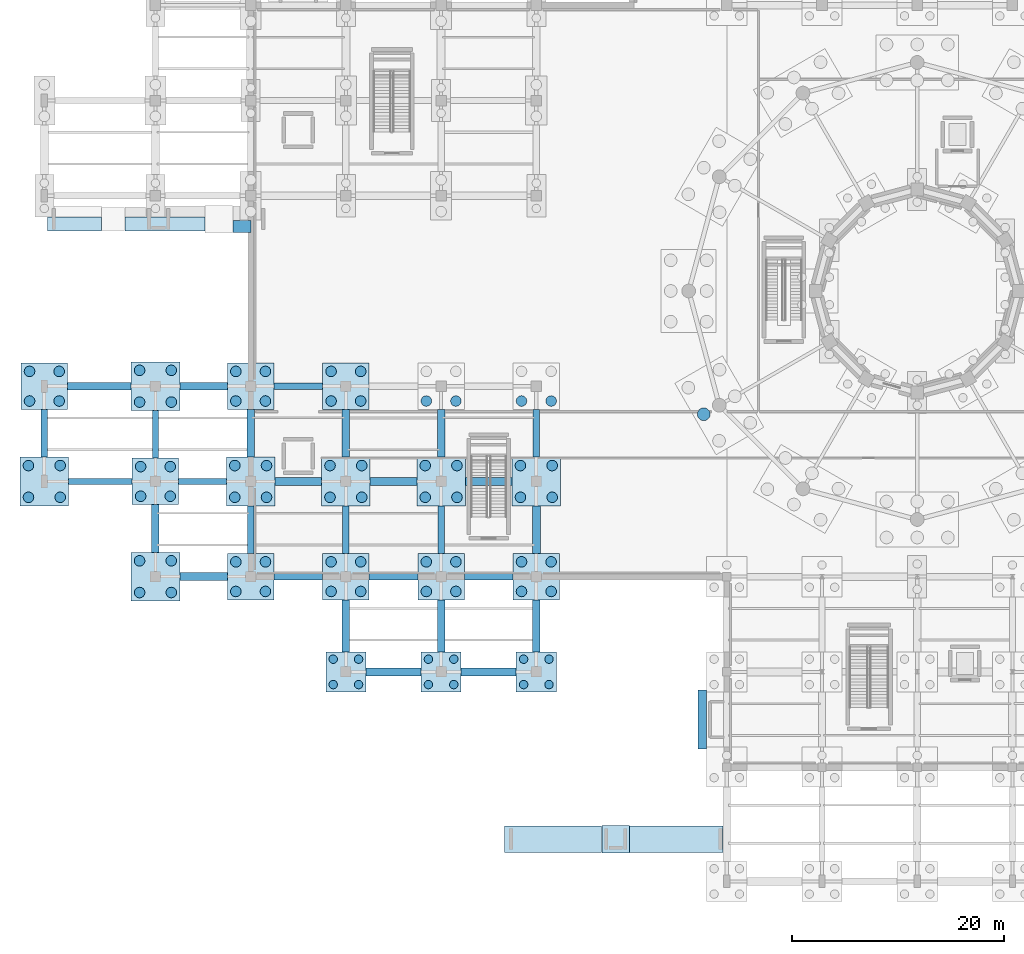
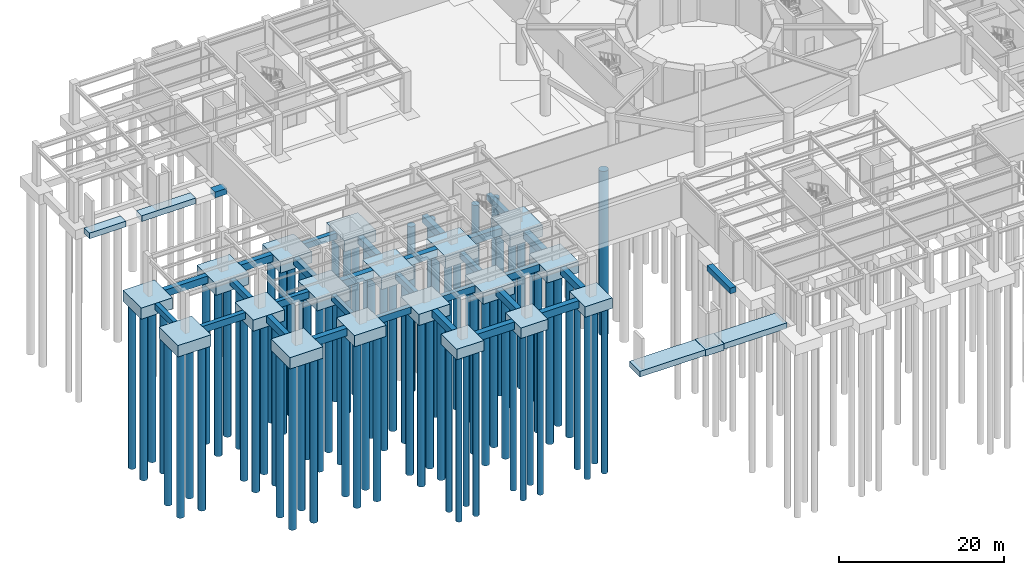
# One storey, part 1 of 36: 77 piles, 53 footings.
"""IFC4 building model written with IfcOpenShell, lengths in metres."""

from ifc_helpers import new_model, si_unit, direction, frame, origin, origin_2d, place, context, subcontext, project, spatial, rectangle, circle, extrude, material, material_profile, profile_set, type_object, element, save


model = new_model("IFC4")

# Units and contexts
model_context = context("Model", 3, precision=1e-05, world=origin(), true_north=direction((0.0, 1.0)))
body_context = subcontext(model_context, "Body", "Model", "MODEL_VIEW")
ifc_project = project(units=[si_unit("LENGTHUNIT", "METRE"), si_unit("AREAUNIT", "SQUARE_METRE"), si_unit("VOLUMEUNIT", "CUBIC_METRE"), si_unit("PLANEANGLEUNIT", "RADIAN"), si_unit("MASSUNIT", "GRAM", prefix="KILO")], contexts=[model_context])

# Site, building, storey
site_placement = place(None, origin())
site = spatial("IfcSite", under=ifc_project, at=site_placement, CompositionType="ELEMENT")
building_placement = place(site_placement, origin())
building = spatial("IfcBuilding", under=site, at=building_placement, Name="Haizhuo Lancet Aquarium", CompositionType="ELEMENT")
storey_placement = place(building_placement, frame((0.0, 0.0, -6.0)))
storey = spatial("IfcBuildingStorey", under=building, at=storey_placement, Name="B1", CompositionType="ELEMENT", Elevation=-6.0)

# Footings
ifc_material = material(Name="Concrete C40/50", Category="concrete")
footing_type_1 = type_object("IfcFootingType", Name="FCAP-PC4A", PredefinedType="PILE_CAP", material=ifc_material)
for number, where, z_axis, x_axis, name in (
    (1, (-54.0, -36.0, -1.5498046875), (0.0, 0.0, 1.0), (1.0, 0.0, 0.0), "Pile cap PC-04 116"),
    (2, (-45.0, -36.0, -1.5498046875), (0.0, 0.0, 1.0), (1.0, 0.0, 0.0), "Pile cap PC-04 120"),
    (3, (-36.0, -36.0, -1.5498046875), (0.0, 0.0, 1.0), (1.0, 0.0, 0.0), "Pile cap PC-04 124"),
):
    element("IfcFooting", number, at=place(storey_placement, frame(where, z_axis=z_axis, x_axis=x_axis)), inside=storey, type_object=footing_type_1, Name=name, PredefinedType="PILE_CAP", context=body_context, shape_type="SweptSolid", body=[
        extrude(rectangle(XDim=3.800048828125, YDim=3.800048828125, at=origin_2d()), origin(), (0.0, 0.0, 1.0), 1.550048828125),
    ])
footing_type_2 = type_object("IfcFootingType", Name="FCAP-PC4B", PredefinedType="PILE_CAP", material=ifc_material)
for number, where, z_axis, x_axis, name in (
    (4, (-82.5, -9.0, -1.64990234375), (0.0, 0.0, 1.0), (1.0, 0.0, 0.0), "Pile cap PC-05 109"),
    (5, (-72.0, -18.0, -1.64990234375), (0.0, 0.0, 1.0), (1.0, 0.0, 0.0), "Pile cap PC-05 111"),
    (6, (-63.0, -27.0, -1.64990234375), (0.0, 0.0, 1.0), (1.0, 0.0, 0.0), "Pile cap PC-05 113"),
    (7, (-63.0, -9.0, -1.64990234375), (0.0, 0.0, 1.0), (1.0, 0.0, 0.0), "Pile cap PC-05 115"),
    (8, (-54.0, -27.0, -1.64990234375), (0.0, 0.0, 1.0), (1.0, 0.0, 0.0), "Pile cap PC-05 117"),
    (9, (-54.0, -9.0, -1.64990234375), (0.0, 0.0, 1.0), (1.0, 0.0, 0.0), "Pile cap PC-05 119"),
    (10, (-45.0, -27.0, -1.64990234375), (0.0, 0.0, 1.0), (1.0, 0.0, 0.0), "Pile cap PC-05 121"),
    (11, (-36.0, -27.0, -1.64990234375), (0.0, 0.0, 1.0), (1.0, 0.0, 0.0), "Pile cap PC-05 125"),
):
    element("IfcFooting", number, at=place(storey_placement, frame(where, z_axis=z_axis, x_axis=x_axis)), inside=storey, type_object=footing_type_2, Name=name, PredefinedType="PILE_CAP", context=body_context, shape_type="SweptSolid", body=[
        extrude(rectangle(XDim=4.39990234375, YDim=4.39990234375, at=origin_2d()), origin(), (0.0, 0.0, 1.0), 1.64990234375),
    ])
footing_type_3 = type_object("IfcFootingType", Name="FCAP-PC4C", PredefinedType="PILE_CAP", material=ifc_material)
for number, where, z_axis, x_axis, name in (
    (12, (-82.5, -18.0, -1.7001953125), (0.0, 0.0, 1.0), (1.0, 0.0, 0.0), "Pile cap PC-06 108"),
    (13, (-72.0, -27.0, -1.7001953125), (0.0, 0.0, 1.0), (1.0, 0.0, 0.0), "Pile cap PC-06 110"),
    (14, (-72.0, -9.0, -1.7001953125), (0.0, 0.0, 1.0), (1.0, 0.0, 0.0), "Pile cap PC-06 112"),
    (15, (-63.0, -18.0, -1.7001953125), (0.0, 0.0, 1.0), (1.0, 0.0, 0.0), "Pile cap PC-06 114"),
    (16, (-54.0, -18.0, -1.7001953125), (0.0, 0.0, 1.0), (1.0, 0.0, 0.0), "Pile cap PC-06 118"),
    (17, (-45.0, -18.0, -1.7001953125), (0.0, 0.0, 1.0), (1.0, 0.0, 0.0), "Pile cap PC-06 122"),
    (18, (-36.0, -18.0, -1.7001953125), (0.0, 0.0, 1.0), (1.0, 0.0, 0.0), "Pile cap PC-06 126"),
):
    element("IfcFooting", number, at=place(storey_placement, frame(where, z_axis=z_axis, x_axis=x_axis)), inside=storey, type_object=footing_type_3, Name=name, PredefinedType="PILE_CAP", context=body_context, shape_type="SweptSolid", body=[
        extrude(rectangle(XDim=4.60009765625, YDim=4.60009765625, at=origin_2d()), origin(), (0.0, 0.0, 1.0), 1.699951171875),
    ])
footing_type_4 = type_object("IfcFootingType", Name="FPAD-2200", PredefinedType="PAD_FOOTING", material=ifc_material)
footing_1_placement = place(storey_placement, frame((-79.659912109375, 6.330078125, -0.85009765625), z_axis=(0.0, 0.0, 1.0), x_axis=(1.0, 0.0, 0.0)))
element("IfcFooting", 19, at=footing_1_placement, inside=storey, type_object=footing_type_4, material=ifc_material, Name="West Avenue Accessible Plinth Ramp RMP-01 mat footing 1", PredefinedType="PAD_FOOTING", context=body_context, shape_type="SweptSolid", body=[
    extrude(rectangle(XDim=5.080078125, YDim=1.300048828125, at=origin_2d()), origin(), (0.0, 0.0, 1.0), 0.85009765625),
])
footing_2_placement = place(storey_placement, frame((-71.10009765625, 6.330078125, -0.85009765625), z_axis=(0.0, 0.0, 1.0), x_axis=(1.0, 0.0, 0.0)))
element("IfcFooting", 20, at=footing_2_placement, inside=storey, type_object=footing_type_4, material=ifc_material, Name="West Avenue Accessible Plinth Ramp RMP-01 mat footing 3", PredefinedType="PAD_FOOTING", context=body_context, shape_type="SweptSolid", body=[
    extrude(rectangle(XDim=7.56005859375, YDim=1.300048828125, at=origin_2d()), origin(), (0.0, 0.0, 1.0), 0.85009765625),
])
footing_3_placement = place(storey_placement, frame((-63.830078125, 6.114990234375, -0.85009765625), z_axis=(0.0, 0.0, 1.0), x_axis=(1.0, 0.0, 0.0)))
element("IfcFooting", 21, at=footing_3_placement, inside=storey, type_object=footing_type_4, material=ifc_material, Name="West Avenue Accessible Plinth Ramp RMP-01 mat footing 6", PredefinedType="PAD_FOOTING", context=body_context, shape_type="SweptSolid", body=[
    extrude(rectangle(XDim=1.699951171875, YDim=1.1298828125, at=origin_2d()), origin(), (0.0, 0.0, 1.0), 0.85009765625),
])
footing_4_placement = place(storey_placement, frame((-34.409912109375, -51.800048828125, -0.85009765625), z_axis=(0.0, 0.0, 1.0), x_axis=(1.0, 0.0, 0.0)))
element("IfcFooting", 22, at=footing_4_placement, inside=storey, type_object=footing_type_4, material=ifc_material, Name="South Forecourt Accessible Plinth Ramp RMP-03 mat footing 1", PredefinedType="PAD_FOOTING", context=body_context, shape_type="SweptSolid", body=[
    extrude(rectangle(XDim=9.179931640625, YDim=2.5, at=origin_2d()), origin(), (0.0, 0.0, 1.0), 0.85009765625),
])
footing_5_placement = place(storey_placement, frame((-22.77490234375, -51.800048828125, -0.85009765625), z_axis=(0.0, 0.0, 1.0), x_axis=(1.0, 0.0, 0.0)))
element("IfcFooting", 23, at=footing_5_placement, inside=storey, type_object=footing_type_4, material=ifc_material, Name="South Forecourt Accessible Plinth Ramp RMP-03 mat footing 2", PredefinedType="PAD_FOOTING", context=body_context, shape_type="SweptSolid", body=[
    extrude(rectangle(XDim=8.81005859375, YDim=2.5, at=origin_2d()), origin(), (0.0, 0.0, 1.0), 0.85009765625),
])
footing_6_placement = place(storey_placement, frame((-20.31005859375, -40.5, -0.85009765625), z_axis=(0.0, 0.0, 1.0), x_axis=(1.0, 0.0, 0.0)))
element("IfcFooting", 24, at=footing_6_placement, inside=storey, type_object=footing_type_4, material=ifc_material, Name="Entrance apron footing 3.1", PredefinedType="PAD_FOOTING", context=body_context, shape_type="SweptSolid", body=[
    extrude(rectangle(XDim=0.780029296875, YDim=5.60009765625, at=origin_2d()), origin(), (0.0, 0.0, 1.0), 0.85009765625),
])
footing_type_5 = type_object("IfcFootingType", Name="FPAD-2600", PredefinedType="PAD_FOOTING", material=ifc_material)
footing_7_placement = place(storey_placement, frame((-28.5, -51.800048828125, -0.9501953125), z_axis=(0.0, 0.0, 1.0), x_axis=(1.0, 0.0, 0.0)))
element("IfcFooting", 25, at=footing_7_placement, inside=storey, type_object=footing_type_5, Name="Ramp pad footing 5", PredefinedType="PAD_FOOTING", context=body_context, shape_type="SweptSolid", body=[
    extrude(rectangle(XDim=2.60009765625, YDim=2.60009765625, at=origin_2d()), origin(), (0.0, 0.0, 1.0), 0.949951171875),
])
footing_type_6 = type_object("IfcFootingType", Name="FTB-600x1000", PredefinedType="FOOTING_BEAM", material=ifc_material)
footing_8_placement = place(storey_placement, frame((-77.199951171875, -18.0, -1.0), z_axis=(0.0, 0.0, 1.0), x_axis=(1.0, 0.0, 0.0)))
element("IfcFooting", 26, at=footing_8_placement, inside=storey, type_object=footing_type_6, Name="Foundation tie beam 2", PredefinedType="FOOTING_BEAM", context=body_context, shape_type="SweptSolid", body=[
    extrude(rectangle(XDim=6.0, YDim=0.60009765625, at=origin_2d()), origin(), (0.0, 0.0, 1.0), 1.0),
])
footing_9_placement = place(storey_placement, frame((-67.550048828125, -18.0, -1.0), z_axis=(0.0, 0.0, 1.0), x_axis=(1.0, 0.0, 0.0)))
element("IfcFooting", 27, at=footing_9_placement, inside=storey, type_object=footing_type_6, Name="Foundation tie beam 10", PredefinedType="FOOTING_BEAM", context=body_context, shape_type="SweptSolid", body=[
    extrude(rectangle(XDim=4.5, YDim=0.60009765625, at=origin_2d()), origin(), (0.0, 0.0, 1.0), 1.0),
])
for number, where, z_axis, x_axis, name in (
    (28, (-58.5, -27.0, -1.0), (0.0, 0.0, 1.0), (1.0, 0.0, 0.0), "Foundation tie beam 18"),
    (29, (-49.5, -27.0, -1.0), (0.0, 0.0, 1.0), (1.0, 0.0, 0.0), "Foundation tie beam 30"),
    (30, (-40.5, -27.0, -1.0), (0.0, 0.0, 1.0), (1.0, 0.0, 0.0), "Foundation tie beam 42"),
):
    element("IfcFooting", number, at=place(storey_placement, frame(where, z_axis=z_axis, x_axis=x_axis)), inside=storey, type_object=footing_type_6, Name=name, PredefinedType="FOOTING_BEAM", context=body_context, shape_type="SweptSolid", body=[
        extrude(rectangle(XDim=4.60009765625, YDim=0.60009765625, at=origin_2d()), origin(), (0.0, 0.0, 1.0), 1.0),
    ])
footing_type_7 = type_object("IfcFootingType", Name="FTB-600x900", PredefinedType="FOOTING_BEAM", material=ifc_material)
for number, where, z_axis, x_axis, name in (
    (31, (-82.5, -13.449951171875, -0.89990234375), (0.0, 0.0, 1.0), (0.0, 1.0, 0.0), "Foundation tie beam 1"),
    (32, (-72.0, -13.550048828125, -0.89990234375), (0.0, 0.0, 1.0), (0.0, 1.0, 0.0), "Foundation tie beam 9"),
    (33, (-63.0, -22.550048828125, -0.89990234375), (0.0, 0.0, 1.0), (0.0, 1.0, 0.0), "Foundation tie beam 17"),
):
    element("IfcFooting", number, at=place(storey_placement, frame(where, z_axis=z_axis, x_axis=x_axis)), inside=storey, type_object=footing_type_7, Name=name, PredefinedType="FOOTING_BEAM", context=body_context, shape_type="SweptSolid", body=[
        extrude(rectangle(XDim=4.5, YDim=0.60009765625, at=origin_2d()), origin(), (0.0, 0.0, 1.0), 0.89990234375),
    ])
footing_10_placement = place(storey_placement, frame((-58.5, -9.0, -0.89990234375), z_axis=(0.0, 0.0, 1.0), x_axis=(1.0, 0.0, 0.0)))
element("IfcFooting", 34, at=footing_10_placement, inside=storey, type_object=footing_type_7, Name="Foundation tie beam 21", PredefinedType="FOOTING_BEAM", context=body_context, shape_type="SweptSolid", body=[
    extrude(rectangle(XDim=4.60009765625, YDim=0.60009765625, at=origin_2d()), origin(), (0.0, 0.0, 1.0), 0.89990234375),
])
for number, where, z_axis, x_axis, name in (
    (35, (-54.0, -22.550048828125, -0.89990234375), (0.0, 0.0, 1.0), (0.0, 1.0, 0.0), "Foundation tie beam 29"),
    (36, (-45.0, -22.550048828125, -0.89990234375), (0.0, 0.0, 1.0), (0.0, 1.0, 0.0), "Foundation tie beam 41"),
    (37, (-36.0, -13.449951171875, -0.89990234375), (0.0, 0.0, 1.0), (0.0, 1.0, 0.0), "Foundation tie beam 53"),
):
    element("IfcFooting", number, at=place(storey_placement, frame(where, z_axis=z_axis, x_axis=x_axis)), inside=storey, type_object=footing_type_7, Name=name, PredefinedType="FOOTING_BEAM", context=body_context, shape_type="SweptSolid", body=[
        extrude(rectangle(XDim=4.5, YDim=0.60009765625, at=origin_2d()), origin(), (0.0, 0.0, 1.0), 0.89990234375),
    ])
footing_type_8 = type_object("IfcFootingType", Name="FTB-700x1050", PredefinedType="FOOTING_BEAM", material=ifc_material)
footing_11_placement = place(storey_placement, frame((-77.300048828125, -9.0, -1.0498046875), z_axis=(0.0, 0.0, 1.0), x_axis=(1.0, 0.0, 0.0)))
element("IfcFooting", 38, at=footing_11_placement, inside=storey, type_object=footing_type_8, Name="Foundation tie beam 3", PredefinedType="FOOTING_BEAM", context=body_context, shape_type="SweptSolid", body=[
    extrude(rectangle(XDim=6.0, YDim=0.699951171875, at=origin_2d()), origin(), (0.0, 0.0, 1.0), 1.050048828125),
])
for number, where, z_axis, x_axis, name in (
    (39, (-72.0, -22.449951171875, -1.0498046875), (0.0, 0.0, 1.0), (0.0, 1.0, 0.0), "Foundation tie beam 7"),
    (40, (-67.449951171875, -9.0, -1.0498046875), (0.0, 0.0, 1.0), (1.0, 0.0, 0.0), "Foundation tie beam 11"),
    (41, (-63.0, -13.449951171875, -1.0498046875), (0.0, 0.0, 1.0), (0.0, 1.0, 0.0), "Foundation tie beam 19"),
):
    element("IfcFooting", number, at=place(storey_placement, frame(where, z_axis=z_axis, x_axis=x_axis)), inside=storey, type_object=footing_type_8, Name=name, PredefinedType="FOOTING_BEAM", context=body_context, shape_type="SweptSolid", body=[
        extrude(rectangle(XDim=4.5, YDim=0.699951171875, at=origin_2d()), origin(), (0.0, 0.0, 1.0), 1.050048828125),
    ])
footing_12_placement = place(storey_placement, frame((-54.0, -31.64990234375, -1.0498046875), z_axis=(0.0, 0.0, 1.0), x_axis=(0.0, 1.0, 0.0)))
element("IfcFooting", 42, at=footing_12_placement, inside=storey, type_object=footing_type_8, Name="Foundation tie beam 27", PredefinedType="FOOTING_BEAM", context=body_context, shape_type="SweptSolid", body=[
    extrude(rectangle(XDim=4.89990234375, YDim=0.699951171875, at=origin_2d()), origin(), (0.0, 0.0, 1.0), 1.050048828125),
])
footing_13_placement = place(storey_placement, frame((-54.0, -13.449951171875, -1.0498046875), z_axis=(0.0, 0.0, 1.0), x_axis=(0.0, 1.0, 0.0)))
element("IfcFooting", 43, at=footing_13_placement, inside=storey, type_object=footing_type_8, Name="Foundation tie beam 31", PredefinedType="FOOTING_BEAM", context=body_context, shape_type="SweptSolid", body=[
    extrude(rectangle(XDim=4.5, YDim=0.699951171875, at=origin_2d()), origin(), (0.0, 0.0, 1.0), 1.050048828125),
])
footing_14_placement = place(storey_placement, frame((-45.0, -31.64990234375, -1.0498046875), z_axis=(0.0, 0.0, 1.0), x_axis=(0.0, 1.0, 0.0)))
element("IfcFooting", 44, at=footing_14_placement, inside=storey, type_object=footing_type_8, Name="Foundation tie beam 39", PredefinedType="FOOTING_BEAM", context=body_context, shape_type="SweptSolid", body=[
    extrude(rectangle(XDim=4.89990234375, YDim=0.699951171875, at=origin_2d()), origin(), (0.0, 0.0, 1.0), 1.050048828125),
])
footing_15_placement = place(storey_placement, frame((-45.0, -13.449951171875, -1.0498046875), z_axis=(0.0, 0.0, 1.0), x_axis=(0.0, 1.0, 0.0)))
element("IfcFooting", 45, at=footing_15_placement, inside=storey, type_object=footing_type_8, Name="Foundation tie beam 43", PredefinedType="FOOTING_BEAM", context=body_context, shape_type="SweptSolid", body=[
    extrude(rectangle(XDim=4.5, YDim=0.699951171875, at=origin_2d()), origin(), (0.0, 0.0, 1.0), 1.050048828125),
])
footing_16_placement = place(storey_placement, frame((-36.0, -31.64990234375, -1.0498046875), z_axis=(0.0, 0.0, 1.0), x_axis=(0.0, 1.0, 0.0)))
element("IfcFooting", 46, at=footing_16_placement, inside=storey, type_object=footing_type_8, Name="Foundation tie beam 51", PredefinedType="FOOTING_BEAM", context=body_context, shape_type="SweptSolid", body=[
    extrude(rectangle(XDim=4.89990234375, YDim=0.699951171875, at=origin_2d()), origin(), (0.0, 0.0, 1.0), 1.050048828125),
])
footing_type_9 = type_object("IfcFootingType", Name="FTB-750x1100", PredefinedType="FOOTING_BEAM", material=ifc_material)
footing_17_placement = place(storey_placement, frame((-67.449951171875, -27.0, -1.10009765625), z_axis=(0.0, 0.0, 1.0), x_axis=(1.0, 0.0, 0.0)))
element("IfcFooting", 47, at=footing_17_placement, inside=storey, type_object=footing_type_9, Name="Foundation tie beam 8", PredefinedType="FOOTING_BEAM", context=body_context, shape_type="SweptSolid", body=[
    extrude(rectangle(XDim=4.5, YDim=0.75, at=origin_2d()), origin(), (0.0, 0.0, 1.0), 1.10009765625),
])
footing_18_placement = place(storey_placement, frame((-58.5, -18.0, -1.10009765625), z_axis=(0.0, 0.0, 1.0), x_axis=(1.0, 0.0, 0.0)))
element("IfcFooting", 48, at=footing_18_placement, inside=storey, type_object=footing_type_9, Name="Foundation tie beam 20", PredefinedType="FOOTING_BEAM", context=body_context, shape_type="SweptSolid", body=[
    extrude(rectangle(XDim=4.39990234375, YDim=0.75, at=origin_2d()), origin(), (0.0, 0.0, 1.0), 1.10009765625),
])
footing_19_placement = place(storey_placement, frame((-49.5, -36.0, -1.10009765625), z_axis=(0.0, 0.0, 1.0), x_axis=(1.0, 0.0, 0.0)))
element("IfcFooting", 49, at=footing_19_placement, inside=storey, type_object=footing_type_9, Name="Foundation tie beam 28", PredefinedType="FOOTING_BEAM", context=body_context, shape_type="SweptSolid", body=[
    extrude(rectangle(XDim=5.199951171875, YDim=0.75, at=origin_2d()), origin(), (0.0, 0.0, 1.0), 1.10009765625),
])
footing_20_placement = place(storey_placement, frame((-49.5, -18.0, -1.10009765625), z_axis=(0.0, 0.0, 1.0), x_axis=(1.0, 0.0, 0.0)))
element("IfcFooting", 50, at=footing_20_placement, inside=storey, type_object=footing_type_9, Name="Foundation tie beam 32", PredefinedType="FOOTING_BEAM", context=body_context, shape_type="SweptSolid", body=[
    extrude(rectangle(XDim=4.39990234375, YDim=0.75, at=origin_2d()), origin(), (0.0, 0.0, 1.0), 1.10009765625),
])
footing_21_placement = place(storey_placement, frame((-40.5, -36.0, -1.10009765625), z_axis=(0.0, 0.0, 1.0), x_axis=(1.0, 0.0, 0.0)))
element("IfcFooting", 51, at=footing_21_placement, inside=storey, type_object=footing_type_9, Name="Foundation tie beam 40", PredefinedType="FOOTING_BEAM", context=body_context, shape_type="SweptSolid", body=[
    extrude(rectangle(XDim=5.199951171875, YDim=0.75, at=origin_2d()), origin(), (0.0, 0.0, 1.0), 1.10009765625),
])
footing_22_placement = place(storey_placement, frame((-40.5, -18.0, -1.10009765625), z_axis=(0.0, 0.0, 1.0), x_axis=(1.0, 0.0, 0.0)))
element("IfcFooting", 52, at=footing_22_placement, inside=storey, type_object=footing_type_9, Name="Foundation tie beam 44", PredefinedType="FOOTING_BEAM", context=body_context, shape_type="SweptSolid", body=[
    extrude(rectangle(XDim=4.39990234375, YDim=0.75, at=origin_2d()), origin(), (0.0, 0.0, 1.0), 1.10009765625),
])
footing_23_placement = place(storey_placement, frame((-36.0, -22.550048828125, -1.10009765625), z_axis=(0.0, 0.0, 1.0), x_axis=(0.0, 1.0, 0.0)))
element("IfcFooting", 53, at=footing_23_placement, inside=storey, type_object=footing_type_9, Name="Foundation tie beam 52", PredefinedType="FOOTING_BEAM", context=body_context, shape_type="SweptSolid", body=[
    extrude(rectangle(XDim=4.5, YDim=0.75, at=origin_2d()), origin(), (0.0, 0.0, 1.0), 1.10009765625),
])

# Piles
ifc_material_profile_1 = material_profile(ifc_material, circle(Radius=0.5, at=origin_2d()), Name="PILE-1000")
ifc_profile_set_1 = profile_set([ifc_material_profile_1], Name="Concrete C40/50")
pile_type_1 = type_object("IfcPileType", Name="PILE-BORED-1000", PredefinedType="BORED", material=ifc_profile_set_1)
for number, where, z_axis, x_axis, name in (
    (54, (-84.0, -19.5, -1.550048828125), (0.0, 0.0, -1.0), (1.0, 0.0, 0.0), "Bored pile P-02 108.1"),
    (55, (-81.0, -19.5, -1.550048828125), (0.0, 0.0, -1.0), (1.0, 0.0, 0.0), "Bored pile P-02 108.2"),
    (56, (-84.0, -16.5, -1.550048828125), (0.0, 0.0, -1.0), (1.0, 0.0, 0.0), "Bored pile P-02 108.3"),
    (57, (-81.0, -16.5, -1.550048828125), (0.0, 0.0, -1.0), (1.0, 0.0, 0.0), "Bored pile P-02 108.4"),
):
    element("IfcPile", number, at=place(storey_placement, frame(where, z_axis=z_axis, x_axis=x_axis)), inside=storey, type_object=pile_type_1, Name=name, PredefinedType="BORED", context=body_context, shape_type="SweptSolid", body=[
        extrude(circle(Radius=0.5, at=origin_2d()), origin(), (0.0, 0.0, 1.0), 24.449951171875),
    ])
for number, where, z_axis, x_axis, name in (
    (58, (-83.89990234375, -10.39990234375, -1.5), (0.0, 0.0, -1.0), (1.0, 0.0, 0.0), "Bored pile P-02 109.1"),
    (59, (-81.10009765625, -10.39990234375, -1.5), (0.0, 0.0, -1.0), (1.0, 0.0, 0.0), "Bored pile P-02 109.2"),
    (60, (-83.89990234375, -7.60009765625, -1.5), (0.0, 0.0, -1.0), (1.0, 0.0, 0.0), "Bored pile P-02 109.3"),
    (61, (-81.10009765625, -7.60009765625, -1.5), (0.0, 0.0, -1.0), (1.0, 0.0, 0.0), "Bored pile P-02 109.4"),
):
    element("IfcPile", number, at=place(storey_placement, frame(where, z_axis=z_axis, x_axis=x_axis)), inside=storey, type_object=pile_type_1, Name=name, PredefinedType="BORED", context=body_context, shape_type="SweptSolid", body=[
        extrude(circle(Radius=0.5, at=origin_2d()), origin(), (0.0, 0.0, 1.0), 24.5),
    ])
for number, where, z_axis, x_axis, name in (
    (62, (-73.5, -28.5, -1.550048828125), (0.0, 0.0, -1.0), (1.0, 0.0, 0.0), "Bored pile P-02 110.1"),
    (63, (-70.5, -28.5, -1.550048828125), (0.0, 0.0, -1.0), (1.0, 0.0, 0.0), "Bored pile P-02 110.2"),
    (64, (-73.5, -25.5, -1.550048828125), (0.0, 0.0, -1.0), (1.0, 0.0, 0.0), "Bored pile P-02 110.3"),
    (65, (-70.5, -25.5, -1.550048828125), (0.0, 0.0, -1.0), (1.0, 0.0, 0.0), "Bored pile P-02 110.4"),
):
    element("IfcPile", number, at=place(storey_placement, frame(where, z_axis=z_axis, x_axis=x_axis)), inside=storey, type_object=pile_type_1, Name=name, PredefinedType="BORED", context=body_context, shape_type="SweptSolid", body=[
        extrude(circle(Radius=0.5, at=origin_2d()), origin(), (0.0, 0.0, 1.0), 24.449951171875),
    ])
for number, where, z_axis, x_axis, name in (
    (66, (-73.39990234375, -19.39990234375, -1.5), (0.0, 0.0, -1.0), (1.0, 0.0, 0.0), "Bored pile P-02 111.1"),
    (67, (-70.60009765625, -19.39990234375, -1.5), (0.0, 0.0, -1.0), (1.0, 0.0, 0.0), "Bored pile P-02 111.2"),
    (68, (-73.39990234375, -16.60009765625, -1.5), (0.0, 0.0, -1.0), (1.0, 0.0, 0.0), "Bored pile P-02 111.3"),
    (69, (-70.60009765625, -16.60009765625, -1.5), (0.0, 0.0, -1.0), (1.0, 0.0, 0.0), "Bored pile P-02 111.4"),
):
    element("IfcPile", number, at=place(storey_placement, frame(where, z_axis=z_axis, x_axis=x_axis)), inside=storey, type_object=pile_type_1, Name=name, PredefinedType="BORED", context=body_context, shape_type="SweptSolid", body=[
        extrude(circle(Radius=0.5, at=origin_2d()), origin(), (0.0, 0.0, 1.0), 24.5),
    ])
for number, where, z_axis, x_axis, name in (
    (70, (-73.5, -10.5, -1.550048828125), (0.0, 0.0, -1.0), (1.0, 0.0, 0.0), "Bored pile P-02 112.1"),
    (71, (-70.5, -10.5, -1.550048828125), (0.0, 0.0, -1.0), (1.0, 0.0, 0.0), "Bored pile P-02 112.2"),
    (72, (-73.5, -7.5, -1.550048828125), (0.0, 0.0, -1.0), (1.0, 0.0, 0.0), "Bored pile P-02 112.3"),
    (73, (-70.5, -7.5, -1.550048828125), (0.0, 0.0, -1.0), (1.0, 0.0, 0.0), "Bored pile P-02 112.4"),
):
    element("IfcPile", number, at=place(storey_placement, frame(where, z_axis=z_axis, x_axis=x_axis)), inside=storey, type_object=pile_type_1, Name=name, PredefinedType="BORED", context=body_context, shape_type="SweptSolid", body=[
        extrude(circle(Radius=0.5, at=origin_2d()), origin(), (0.0, 0.0, 1.0), 24.449951171875),
    ])
for number, where, z_axis, x_axis, name in (
    (74, (-64.39990234375, -28.39990234375, -1.5), (0.0, 0.0, -1.0), (1.0, 0.0, 0.0), "Bored pile P-02 113.1"),
    (75, (-61.60009765625, -28.39990234375, -1.5), (0.0, 0.0, -1.0), (1.0, 0.0, 0.0), "Bored pile P-02 113.2"),
    (76, (-64.39990234375, -25.60009765625, -1.5), (0.0, 0.0, -1.0), (1.0, 0.0, 0.0), "Bored pile P-02 113.3"),
    (77, (-61.60009765625, -25.60009765625, -1.5), (0.0, 0.0, -1.0), (1.0, 0.0, 0.0), "Bored pile P-02 113.4"),
):
    element("IfcPile", number, at=place(storey_placement, frame(where, z_axis=z_axis, x_axis=x_axis)), inside=storey, type_object=pile_type_1, Name=name, PredefinedType="BORED", context=body_context, shape_type="SweptSolid", body=[
        extrude(circle(Radius=0.5, at=origin_2d()), origin(), (0.0, 0.0, 1.0), 24.5),
    ])
for number, where, z_axis, x_axis, name in (
    (78, (-64.5, -19.5, -1.550048828125), (0.0, 0.0, -1.0), (1.0, 0.0, 0.0), "Bored pile P-02 114.1"),
    (79, (-61.5, -19.5, -1.550048828125), (0.0, 0.0, -1.0), (1.0, 0.0, 0.0), "Bored pile P-02 114.2"),
    (80, (-64.5, -16.5, -1.550048828125), (0.0, 0.0, -1.0), (1.0, 0.0, 0.0), "Bored pile P-02 114.3"),
    (81, (-61.5, -16.5, -1.550048828125), (0.0, 0.0, -1.0), (1.0, 0.0, 0.0), "Bored pile P-02 114.4"),
):
    element("IfcPile", number, at=place(storey_placement, frame(where, z_axis=z_axis, x_axis=x_axis)), inside=storey, type_object=pile_type_1, Name=name, PredefinedType="BORED", context=body_context, shape_type="SweptSolid", body=[
        extrude(circle(Radius=0.5, at=origin_2d()), origin(), (0.0, 0.0, 1.0), 24.449951171875),
    ])
for number, where, z_axis, x_axis, name in (
    (82, (-64.39990234375, -10.39990234375, -1.5), (0.0, 0.0, -1.0), (1.0, 0.0, 0.0), "Bored pile P-02 115.1"),
    (83, (-61.60009765625, -10.39990234375, -1.5), (0.0, 0.0, -1.0), (1.0, 0.0, 0.0), "Bored pile P-02 115.2"),
    (84, (-64.39990234375, -7.60009765625, -1.5), (0.0, 0.0, -1.0), (1.0, 0.0, 0.0), "Bored pile P-02 115.3"),
    (85, (-61.60009765625, -7.60009765625, -1.5), (0.0, 0.0, -1.0), (1.0, 0.0, 0.0), "Bored pile P-02 115.4"),
    (86, (-55.39990234375, -28.39990234375, -1.5), (0.0, 0.0, -1.0), (1.0, 0.0, 0.0), "Bored pile P-02 117.1"),
    (87, (-52.60009765625, -28.39990234375, -1.5), (0.0, 0.0, -1.0), (1.0, 0.0, 0.0), "Bored pile P-02 117.2"),
    (88, (-55.39990234375, -25.60009765625, -1.5), (0.0, 0.0, -1.0), (1.0, 0.0, 0.0), "Bored pile P-02 117.3"),
    (89, (-52.60009765625, -25.60009765625, -1.5), (0.0, 0.0, -1.0), (1.0, 0.0, 0.0), "Bored pile P-02 117.4"),
):
    element("IfcPile", number, at=place(storey_placement, frame(where, z_axis=z_axis, x_axis=x_axis)), inside=storey, type_object=pile_type_1, Name=name, PredefinedType="BORED", context=body_context, shape_type="SweptSolid", body=[
        extrude(circle(Radius=0.5, at=origin_2d()), origin(), (0.0, 0.0, 1.0), 24.5),
    ])
for number, where, z_axis, x_axis, name in (
    (90, (-55.5, -19.5, -1.550048828125), (0.0, 0.0, -1.0), (1.0, 0.0, 0.0), "Bored pile P-02 118.1"),
    (91, (-52.5, -19.5, -1.550048828125), (0.0, 0.0, -1.0), (1.0, 0.0, 0.0), "Bored pile P-02 118.2"),
    (92, (-55.5, -16.5, -1.550048828125), (0.0, 0.0, -1.0), (1.0, 0.0, 0.0), "Bored pile P-02 118.3"),
    (93, (-52.5, -16.5, -1.550048828125), (0.0, 0.0, -1.0), (1.0, 0.0, 0.0), "Bored pile P-02 118.4"),
):
    element("IfcPile", number, at=place(storey_placement, frame(where, z_axis=z_axis, x_axis=x_axis)), inside=storey, type_object=pile_type_1, Name=name, PredefinedType="BORED", context=body_context, shape_type="SweptSolid", body=[
        extrude(circle(Radius=0.5, at=origin_2d()), origin(), (0.0, 0.0, 1.0), 24.449951171875),
    ])
for number, where, z_axis, x_axis, name in (
    (94, (-55.39990234375, -10.39990234375, -1.5), (0.0, 0.0, -1.0), (1.0, 0.0, 0.0), "Bored pile P-02 119.1"),
    (95, (-52.60009765625, -10.39990234375, -1.5), (0.0, 0.0, -1.0), (1.0, 0.0, 0.0), "Bored pile P-02 119.2"),
    (96, (-55.39990234375, -7.60009765625, -1.5), (0.0, 0.0, -1.0), (1.0, 0.0, 0.0), "Bored pile P-02 119.3"),
    (97, (-52.60009765625, -7.60009765625, -1.5), (0.0, 0.0, -1.0), (1.0, 0.0, 0.0), "Bored pile P-02 119.4"),
    (98, (-46.39990234375, -28.39990234375, -1.5), (0.0, 0.0, -1.0), (1.0, 0.0, 0.0), "Bored pile P-02 121.1"),
    (99, (-43.60009765625, -28.39990234375, -1.5), (0.0, 0.0, -1.0), (1.0, 0.0, 0.0), "Bored pile P-02 121.2"),
    (100, (-46.39990234375, -25.60009765625, -1.5), (0.0, 0.0, -1.0), (1.0, 0.0, 0.0), "Bored pile P-02 121.3"),
    (101, (-43.60009765625, -25.60009765625, -1.5), (0.0, 0.0, -1.0), (1.0, 0.0, 0.0), "Bored pile P-02 121.4"),
):
    element("IfcPile", number, at=place(storey_placement, frame(where, z_axis=z_axis, x_axis=x_axis)), inside=storey, type_object=pile_type_1, Name=name, PredefinedType="BORED", context=body_context, shape_type="SweptSolid", body=[
        extrude(circle(Radius=0.5, at=origin_2d()), origin(), (0.0, 0.0, 1.0), 24.5),
    ])
for number, where, z_axis, x_axis, name in (
    (102, (-46.5, -19.5, -1.550048828125), (0.0, 0.0, -1.0), (1.0, 0.0, 0.0), "Bored pile P-02 122.1"),
    (103, (-43.5, -19.5, -1.550048828125), (0.0, 0.0, -1.0), (1.0, 0.0, 0.0), "Bored pile P-02 122.2"),
    (104, (-46.5, -16.5, -1.550048828125), (0.0, 0.0, -1.0), (1.0, 0.0, 0.0), "Bored pile P-02 122.3"),
    (105, (-43.5, -16.5, -1.550048828125), (0.0, 0.0, -1.0), (1.0, 0.0, 0.0), "Bored pile P-02 122.4"),
):
    element("IfcPile", number, at=place(storey_placement, frame(where, z_axis=z_axis, x_axis=x_axis)), inside=storey, type_object=pile_type_1, Name=name, PredefinedType="BORED", context=body_context, shape_type="SweptSolid", body=[
        extrude(circle(Radius=0.5, at=origin_2d()), origin(), (0.0, 0.0, 1.0), 24.449951171875),
    ])
for number, where, z_axis, x_axis, name in (
    (106, (-46.39990234375, -10.39990234375, -1.5), (0.0, 0.0, -1.0), (1.0, 0.0, 0.0), "Bored pile P-02 123.1"),
    (107, (-43.60009765625, -10.39990234375, -1.5), (0.0, 0.0, -1.0), (1.0, 0.0, 0.0), "Bored pile P-02 123.2"),
    (108, (-37.39990234375, -28.39990234375, -1.5), (0.0, 0.0, -1.0), (1.0, 0.0, 0.0), "Bored pile P-02 125.1"),
    (109, (-34.60009765625, -28.39990234375, -1.5), (0.0, 0.0, -1.0), (1.0, 0.0, 0.0), "Bored pile P-02 125.2"),
    (110, (-37.39990234375, -25.60009765625, -1.5), (0.0, 0.0, -1.0), (1.0, 0.0, 0.0), "Bored pile P-02 125.3"),
    (111, (-34.60009765625, -25.60009765625, -1.5), (0.0, 0.0, -1.0), (1.0, 0.0, 0.0), "Bored pile P-02 125.4"),
):
    element("IfcPile", number, at=place(storey_placement, frame(where, z_axis=z_axis, x_axis=x_axis)), inside=storey, type_object=pile_type_1, Name=name, PredefinedType="BORED", context=body_context, shape_type="SweptSolid", body=[
        extrude(circle(Radius=0.5, at=origin_2d()), origin(), (0.0, 0.0, 1.0), 24.5),
    ])
for number, where, z_axis, x_axis, name in (
    (112, (-37.5, -19.5, -1.550048828125), (0.0, 0.0, -1.0), (1.0, 0.0, 0.0), "Bored pile P-02 126.1"),
    (113, (-34.5, -19.5, -1.550048828125), (0.0, 0.0, -1.0), (1.0, 0.0, 0.0), "Bored pile P-02 126.2"),
    (114, (-37.5, -16.5, -1.550048828125), (0.0, 0.0, -1.0), (1.0, 0.0, 0.0), "Bored pile P-02 126.3"),
    (115, (-34.5, -16.5, -1.550048828125), (0.0, 0.0, -1.0), (1.0, 0.0, 0.0), "Bored pile P-02 126.4"),
):
    element("IfcPile", number, at=place(storey_placement, frame(where, z_axis=z_axis, x_axis=x_axis)), inside=storey, type_object=pile_type_1, Name=name, PredefinedType="BORED", context=body_context, shape_type="SweptSolid", body=[
        extrude(circle(Radius=0.5, at=origin_2d()), origin(), (0.0, 0.0, 1.0), 24.449951171875),
    ])
for number, where, z_axis, x_axis, name in (
    (116, (-37.39990234375, -10.39990234375, -1.5), (0.0, 0.0, -1.0), (1.0, 0.0, 0.0), "Bored pile P-02 127.1"),
    (117, (-34.60009765625, -10.39990234375, -1.5), (0.0, 0.0, -1.0), (1.0, 0.0, 0.0), "Bored pile P-02 127.2"),
):
    element("IfcPile", number, at=place(storey_placement, frame(where, z_axis=z_axis, x_axis=x_axis)), inside=storey, type_object=pile_type_1, Name=name, PredefinedType="BORED", context=body_context, shape_type="SweptSolid", body=[
        extrude(circle(Radius=0.5, at=origin_2d()), origin(), (0.0, 0.0, 1.0), 24.5),
    ])
ifc_material_profile_2 = material_profile(ifc_material, circle(Radius=0.60009765625, at=origin_2d()), Name="PILE-1200")
ifc_profile_set_2 = profile_set([ifc_material_profile_2], Name="Concrete C40/50")
pile_type_2 = type_object("IfcPileType", Name="PILE-BORED-1200", PredefinedType="BORED", material=ifc_profile_set_2)
pile_placement = place(storey_placement, frame((-20.177978515625, -11.64990234375, -1.64990234375), z_axis=(0.0, 0.0, -1.0), x_axis=(1.0, 0.0, 0.0)))
element("IfcPile", 118, at=pile_placement, inside=storey, type_object=pile_type_2, Name="Bored pile P-03 8.4", PredefinedType="BORED", context=body_context, shape_type="SweptSolid", body=[
    extrude(circle(Radius=0.60009765625, at=origin_2d()), origin(), (0.0, 0.0, 1.0), 24.35009765625),
])
ifc_material_profile_3 = material_profile(ifc_material, circle(Radius=0.39990234375, at=origin_2d()), Name="PILE-800")
ifc_profile_set_3 = profile_set([ifc_material_profile_3], Name="Concrete C40/50")
pile_type_3 = type_object("IfcPileType", Name="PILE-BORED-800", PredefinedType="BORED", material=ifc_profile_set_3)
for number, where, z_axis, x_axis, name in (
    (119, (-55.199951171875, -37.199951171875, -1.39990234375), (0.0, 0.0, -1.0), (1.0, 0.0, 0.0), "Bored pile P-01 116.1"),
    (120, (-52.800048828125, -37.199951171875, -1.39990234375), (0.0, 0.0, -1.0), (1.0, 0.0, 0.0), "Bored pile P-01 116.2"),
    (121, (-55.199951171875, -34.800048828125, -1.39990234375), (0.0, 0.0, -1.0), (1.0, 0.0, 0.0), "Bored pile P-01 116.3"),
    (122, (-52.800048828125, -34.800048828125, -1.39990234375), (0.0, 0.0, -1.0), (1.0, 0.0, 0.0), "Bored pile P-01 116.4"),
    (123, (-46.199951171875, -37.199951171875, -1.39990234375), (0.0, 0.0, -1.0), (1.0, 0.0, 0.0), "Bored pile P-01 120.1"),
    (124, (-43.800048828125, -37.199951171875, -1.39990234375), (0.0, 0.0, -1.0), (1.0, 0.0, 0.0), "Bored pile P-01 120.2"),
    (125, (-46.199951171875, -34.800048828125, -1.39990234375), (0.0, 0.0, -1.0), (1.0, 0.0, 0.0), "Bored pile P-01 120.3"),
    (126, (-43.800048828125, -34.800048828125, -1.39990234375), (0.0, 0.0, -1.0), (1.0, 0.0, 0.0), "Bored pile P-01 120.4"),
    (127, (-37.199951171875, -37.199951171875, -1.39990234375), (0.0, 0.0, -1.0), (1.0, 0.0, 0.0), "Bored pile P-01 124.1"),
    (128, (-34.800048828125, -37.199951171875, -1.39990234375), (0.0, 0.0, -1.0), (1.0, 0.0, 0.0), "Bored pile P-01 124.2"),
    (129, (-37.199951171875, -34.800048828125, -1.39990234375), (0.0, 0.0, -1.0), (1.0, 0.0, 0.0), "Bored pile P-01 124.3"),
    (130, (-34.800048828125, -34.800048828125, -1.39990234375), (0.0, 0.0, -1.0), (1.0, 0.0, 0.0), "Bored pile P-01 124.4"),
):
    element("IfcPile", number, at=place(storey_placement, frame(where, z_axis=z_axis, x_axis=x_axis)), inside=storey, type_object=pile_type_3, Name=name, PredefinedType="BORED", context=body_context, shape_type="SweptSolid", body=[
        extrude(circle(Radius=0.39990234375, at=origin_2d()), origin(), (0.0, 0.0, 1.0), 24.60009765625),
    ])

save(model, "model.ifc")
